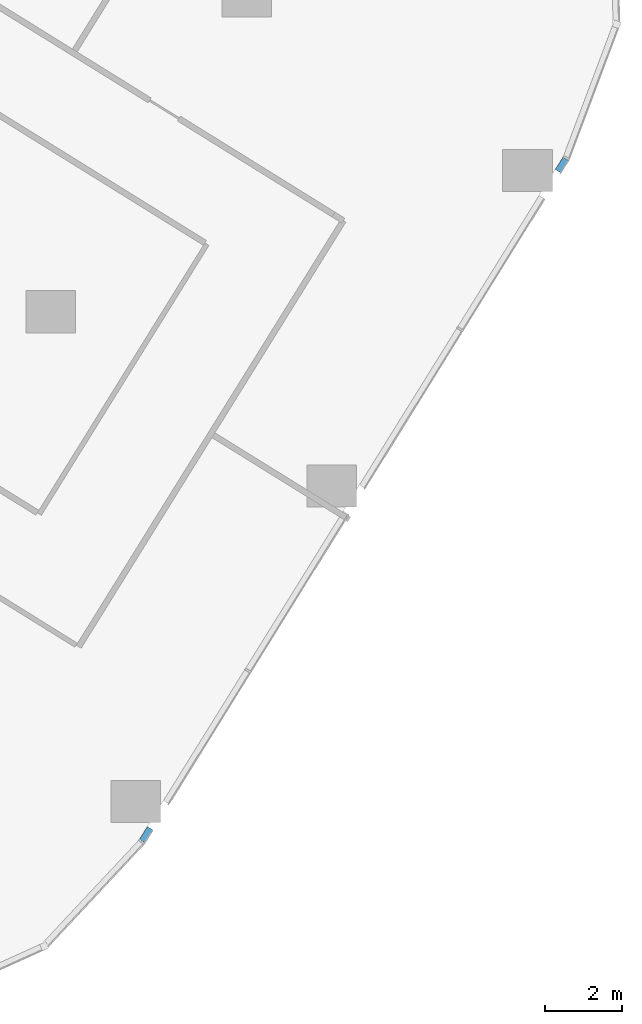
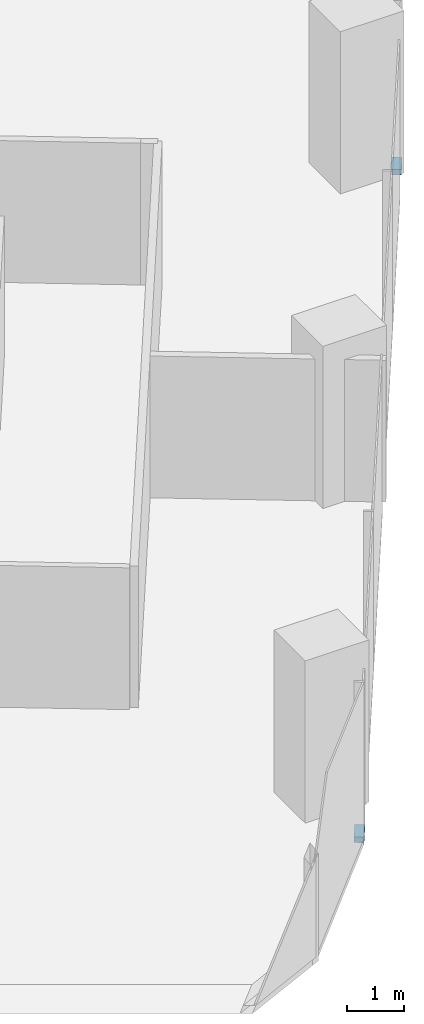
# One storey, part 16 of 34: 2 members, 1 element without a shape of its own.
"""IFC4 building model written with IfcOpenShell, lengths in metres."""

from ifc_helpers import new_model, si_unit, direction, frame, origin, origin_2d, place, context, subcontext, project, spatial, rectangle, extrude, material, material_profile, profile_set, type_object, element, aggregate, save


model = new_model("IFC4")

# Units and contexts
model_context = context("Model", 3, precision=1e-05, world=origin(), true_north=direction((0.0, 1.0)))
body_context = subcontext(model_context, "Body", "Model", "MODEL_VIEW")
ifc_project = project(units=[si_unit("LENGTHUNIT", "METRE"), si_unit("AREAUNIT", "SQUARE_METRE"), si_unit("VOLUMEUNIT", "CUBIC_METRE"), si_unit("PLANEANGLEUNIT", "RADIAN"), si_unit("MASSUNIT", "GRAM", prefix="KILO")], contexts=[model_context])

# Site, building, storey
site_placement = place(None, origin())
site = spatial("IfcSite", under=ifc_project, at=site_placement, CompositionType="ELEMENT")
building_placement = place(site_placement, origin())
building = spatial("IfcBuilding", under=site, at=building_placement, Name="Orlundy Tower", CompositionType="ELEMENT")
storey_placement = place(building_placement, frame((0.0, 0.0, 47.800048828125)))
storey = spatial("IfcBuildingStorey", under=building, at=storey_placement, Name="L10", CompositionType="ELEMENT", Elevation=47.800048828125)

# Curtain wall, members
ifc_material_1 = material(Name="Aluminium bronze anodised", Category="aluminium")
curtain_wall_type = type_object("IfcCurtainWallType", Name="CW1 wall", PredefinedType="NOTDEFINED", material=ifc_material_1)
curtain_wall_placement = place(storey_placement, origin())
curtain_wall = element("IfcCurtainWall", 1, at=curtain_wall_placement, inside=storey, type_object=curtain_wall_type, Name="CW1 run 011", PredefinedType="NOTDEFINED")
ifc_material_2 = material(Name="Aluminium bronze anodised", Category="aluminium")
ifc_material_profile = material_profile(ifc_material_2, rectangle(XDim=0.179931640625, YDim=0.1201171875, at=origin_2d()), Name="CW1 transom 180x120")
ifc_profile_set = profile_set([ifc_material_profile], Name="Aluminium bronze anodised")
member_type = type_object("IfcMemberType", Name="CW1 transom 180x120", PredefinedType="USERDEFINED", material=ifc_profile_set)
member_1_placement = place(storey_placement, frame((56.156982421875, -22.524169921875, -0.360107421875), z_axis=(-0.527507151748, -0.849550589933, 0.0), x_axis=(0.849550589933, -0.527507151748, 0.0)))
member_1 = element("IfcMember", 2, at=member_1_placement, type_object=member_type, Name="CW1 transom", ObjectType="TRANSOM", PredefinedType="USERDEFINED", context=body_context, shape_type="SweptSolid", body=[
    extrude(rectangle(XDim=0.179931640625, YDim=0.1201171875, at=origin_2d()), origin(), (0.0, 0.0, 1.0), 0.379150390625),
])
member_2_placement = place(storey_placement, frame((45.3017578125, -40.008056640625, -0.360107421875), z_axis=(-0.527848266373, -0.849338688443, 0.0), x_axis=(0.849338688443, -0.527848266373, 0.0)))
member_2 = element("IfcMember", 3, at=member_2_placement, type_object=member_type, Name="CW1 transom", ObjectType="TRANSOM", PredefinedType="USERDEFINED", context=body_context, shape_type="SweptSolid", body=[
    extrude(rectangle(XDim=0.179931640625, YDim=0.1201171875, at=origin_2d()), origin(), (0.0, 0.0, 1.0), 0.387939453125),
])
aggregate(curtain_wall, [member_1, member_2])

save(model, "model.ifc")
